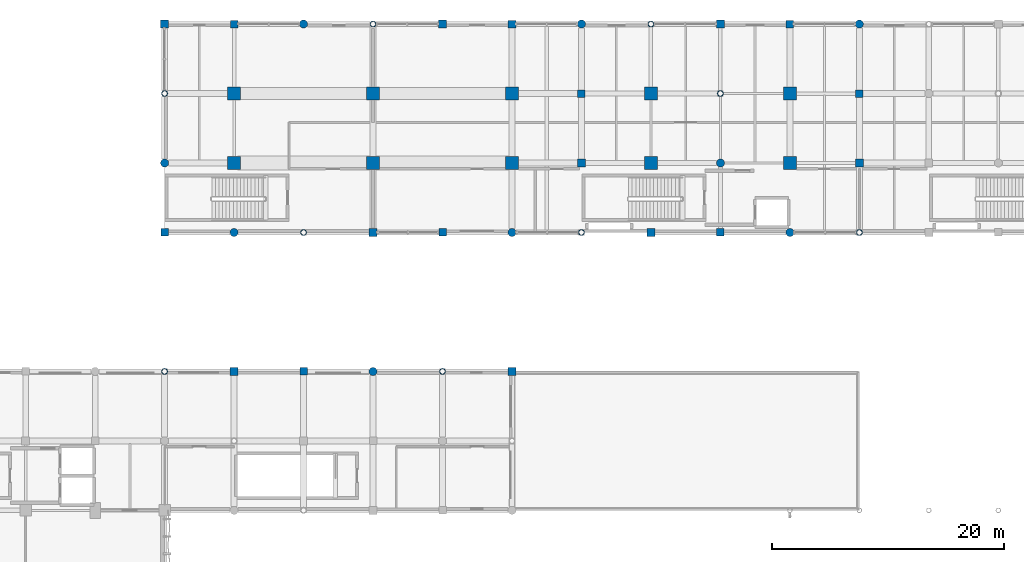
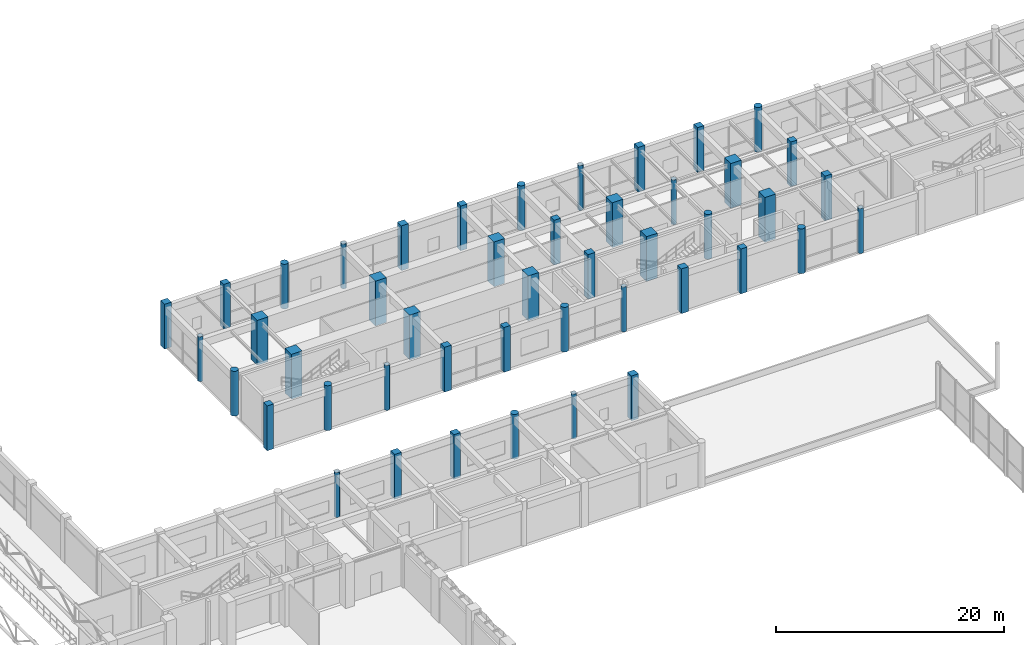
# One storey, part 10 of 123: 46 columns.
"""IFC4 building model written with IfcOpenShell, lengths in metres."""

from ifc_helpers import new_model, si_unit, direction, frame, origin, origin_2d, place, context, subcontext, project, spatial, rectangle, circle, hollow_circle, extrude, material, material_profile, profile_set, type_object, element, save


model = new_model("IFC4")

# Units and contexts
model_context = context("Model", 3, precision=1e-05, world=origin(), true_north=direction((0.0, 1.0)))
body_context = subcontext(model_context, "Body", "Model", "MODEL_VIEW")
ifc_project = project(units=[si_unit("LENGTHUNIT", "METRE"), si_unit("AREAUNIT", "SQUARE_METRE"), si_unit("VOLUMEUNIT", "CUBIC_METRE"), si_unit("PLANEANGLEUNIT", "RADIAN"), si_unit("MASSUNIT", "GRAM", prefix="KILO"), si_unit("THERMODYNAMICTEMPERATUREUNIT", "KELVIN"), si_unit("POWERUNIT", "WATT")], contexts=[model_context])

# Site, building, storey
site_placement = place(None, origin())
site = spatial("IfcSite", under=ifc_project, at=site_placement, CompositionType="ELEMENT")
building_placement = place(site_placement, origin())
building = spatial("IfcBuilding", under=site, at=building_placement, Name="Phaisarnlok Congress Hotel", CompositionType="ELEMENT")
storey_placement = place(building_placement, frame((0.0, 0.0, 15.0)))
storey = spatial("IfcBuildingStorey", under=building, at=storey_placement, Name="L03", CompositionType="ELEMENT", Elevation=15.0)

# Columns
ifc_material_1 = material(Name="Concrete C50/60", Category="concrete")
ifc_material_profile_1 = material_profile(ifc_material_1, rectangle(XDim=1.10009765625, YDim=1.10009765625, at=origin_2d()), Name="RC 1100x1100")
ifc_profile_set_1 = profile_set([ifc_material_profile_1], Name="Concrete C50/60")
column_type_1 = type_object("IfcColumnType", Name="COL-RC-1100", PredefinedType="COLUMN", material=ifc_profile_set_1)
for number, where, z_axis, x_axis, name in (
    (1, (72.0, 114.0, 0.0), (0.0, 0.0, 1.0), (1.0, 0.0, 0.0), "Column C-10 (L03)"),
    (2, (72.0, 120.0, 0.0), (0.0, 0.0, 1.0), (1.0, 0.0, 0.0), "Column C-10 (L03)"),
    (3, (84.0, 114.0, 0.0), (0.0, 0.0, 1.0), (1.0, 0.0, 0.0), "Column C-10 (L03)"),
    (4, (84.0, 120.0, 0.0), (0.0, 0.0, 1.0), (1.0, 0.0, 0.0), "Column C-10 (L03)"),
    (5, (96.0, 114.0, 0.0), (0.0, 0.0, 1.0), (1.0, 0.0, 0.0), "Column C-10 (L03)"),
    (6, (96.0, 120.0, 0.0), (0.0, 0.0, 1.0), (1.0, 0.0, 0.0), "Column C-10 (L03)"),
    (7, (108.0, 114.0, 0.0), (0.0, 0.0, 1.0), (1.0, 0.0, 0.0), "Column C-10 (L03)"),
    (8, (108.0, 120.0, 0.0), (0.0, 0.0, 1.0), (1.0, 0.0, 0.0), "Column C-10 (L03)"),
    (9, (120.0, 114.0, 0.0), (0.0, 0.0, 1.0), (1.0, 0.0, 0.0), "Column C-10 (L03)"),
    (10, (120.0, 120.0, 0.0), (0.0, 0.0, 1.0), (1.0, 0.0, 0.0), "Column C-10 (L03)"),
):
    element("IfcColumn", number, at=place(storey_placement, frame(where, z_axis=z_axis, x_axis=x_axis)), inside=storey, type_object=column_type_1, Name=name, PredefinedType="COLUMN", context=body_context, shape_type="SweptSolid", body=[
        extrude(rectangle(XDim=1.10009765625, YDim=1.10009765625, at=origin_2d()), origin(), (0.0, 0.0, 1.0), 4.800048828125),
    ])
ifc_material_profile_2 = material_profile(ifc_material_1, rectangle(XDim=0.64990234375, YDim=0.64990234375, at=origin_2d()), Name="RC 650x650")
ifc_profile_set_2 = profile_set([ifc_material_profile_2], Name="Concrete C50/60")
column_type_2 = type_object("IfcColumnType", Name="COL-RC-650", PredefinedType="COLUMN", material=ifc_profile_set_2)
for number, where, z_axis, x_axis, name in (
    (11, (66.0, 108.0, 0.0), (0.0, 0.0, 1.0), (1.0, 0.0, 0.0), "Column C-04 (L03)"),
    (12, (78.0, 96.0, 0.0), (0.0, 0.0, 1.0), (1.0, 0.0, 0.0), "Column C-04 (L03)"),
    (13, (90.0, 108.0, 0.0), (0.0, 0.0, 1.0), (1.0, 0.0, 0.0), "Column C-04 (L03)"),
    (14, (102.0, 120.0, 0.0), (0.0, 0.0, 1.0), (1.0, 0.0, 0.0), "Column C-04 (L03)"),
    (15, (114.0, 108.0, 0.0), (0.0, 0.0, 1.0), (1.0, 0.0, 0.0), "Column C-04 (L03)"),
    (16, (126.0, 120.0, 0.0), (0.0, 0.0, 1.0), (1.0, 0.0, 0.0), "Column C-04 (L03)"),
):
    element("IfcColumn", number, at=place(storey_placement, frame(where, z_axis=z_axis, x_axis=x_axis)), inside=storey, type_object=column_type_2, Name=name, PredefinedType="COLUMN", context=body_context, shape_type="SweptSolid", body=[
        extrude(rectangle(XDim=0.64990234375, YDim=0.64990234375, at=origin_2d()), origin(), (0.0, 0.0, 1.0), 4.800048828125),
    ])
ifc_material_profile_3 = material_profile(ifc_material_1, rectangle(XDim=0.64990234375, YDim=0.64990234375, at=origin_2d()), Name="RC 650x650")
ifc_profile_set_3 = profile_set([ifc_material_profile_3], Name="Concrete C50/60")
column_type_3 = type_object("IfcColumnType", Name="COL-RC-650-EXT", PredefinedType="COLUMN", material=ifc_profile_set_3)
for number, where, z_axis, x_axis, name in (
    (17, (72.0, 126.0, 0.0), (0.0, 0.0, 1.0), (1.0, 0.0, 0.0), "Column C-04E (L03)"),
    (18, (96.0, 126.0, 0.0), (0.0, 0.0, 1.0), (1.0, 0.0, 0.0), "Column C-04E (L03)"),
    (19, (120.0, 126.0, 0.0), (0.0, 0.0, 1.0), (1.0, 0.0, 0.0), "Column C-04E (L03)"),
):
    element("IfcColumn", number, at=place(storey_placement, frame(where, z_axis=z_axis, x_axis=x_axis)), inside=storey, type_object=column_type_3, Name=name, PredefinedType="COLUMN", context=body_context, shape_type="SweptSolid", body=[
        extrude(rectangle(XDim=0.64990234375, YDim=0.64990234375, at=origin_2d()), origin(), (0.0, 0.0, 1.0), 4.800048828125),
    ])
ifc_material_profile_4 = material_profile(ifc_material_1, rectangle(XDim=0.699951171875, YDim=0.699951171875, at=origin_2d()), Name="RC 700x700")
ifc_profile_set_4 = profile_set([ifc_material_profile_4], Name="Concrete C50/60")
column_type_4 = type_object("IfcColumnType", Name="COL-RC-700", PredefinedType="COLUMN", material=ifc_profile_set_4)
for number, where, z_axis, x_axis, name in (
    (20, (72.0, 96.0, 0.0), (0.0, 0.0, 1.0), (1.0, 0.0, 0.0), "Column C-05 (L03)"),
    (21, (84.0, 108.0, 0.0), (0.0, 0.0, 1.0), (1.0, 0.0, 0.0), "Column C-05 (L03)"),
    (22, (96.0, 96.0, 0.0), (0.0, 0.0, 1.0), (1.0, 0.0, 0.0), "Column C-05 (L03)"),
    (23, (102.0, 114.0, 0.0), (0.0, 0.0, 1.0), (1.0, 0.0, 0.0), "Column C-05 (L03)"),
    (24, (108.0, 108.0, 0.0), (0.0, 0.0, 1.0), (1.0, 0.0, 0.0), "Column C-05 (L03)"),
    (25, (126.0, 114.0, 0.0), (0.0, 0.0, 1.0), (1.0, 0.0, 0.0), "Column C-05 (L03)"),
):
    element("IfcColumn", number, at=place(storey_placement, frame(where, z_axis=z_axis, x_axis=x_axis)), inside=storey, type_object=column_type_4, Name=name, PredefinedType="COLUMN", context=body_context, shape_type="SweptSolid", body=[
        extrude(rectangle(XDim=0.699951171875, YDim=0.699951171875, at=origin_2d()), origin(), (0.0, 0.0, 1.0), 4.800048828125),
    ])
ifc_material_profile_5 = material_profile(ifc_material_1, rectangle(XDim=0.699951171875, YDim=0.699951171875, at=origin_2d()), Name="RC 700x700")
ifc_profile_set_5 = profile_set([ifc_material_profile_5], Name="Concrete C50/60")
column_type_5 = type_object("IfcColumnType", Name="COL-RC-700-EXT", PredefinedType="COLUMN", material=ifc_profile_set_5)
for number, where, z_axis, x_axis, name in (
    (26, (66.0, 126.0, 0.0), (0.0, 0.0, 1.0), (1.0, 0.0, 0.0), "Column C-05E (L03)"),
    (27, (90.0, 126.0, 0.0), (0.0, 0.0, 1.0), (1.0, 0.0, 0.0), "Column C-05E (L03)"),
    (28, (114.0, 126.0, 0.0), (0.0, 0.0, 1.0), (1.0, 0.0, 0.0), "Column C-05E (L03)"),
):
    element("IfcColumn", number, at=place(storey_placement, frame(where, z_axis=z_axis, x_axis=x_axis)), inside=storey, type_object=column_type_5, Name=name, PredefinedType="COLUMN", context=body_context, shape_type="SweptSolid", body=[
        extrude(rectangle(XDim=0.699951171875, YDim=0.699951171875, at=origin_2d()), origin(), (0.0, 0.0, 1.0), 4.800048828125),
    ])
ifc_material_profile_6 = material_profile(ifc_material_1, circle(Radius=0.35009765625, at=origin_2d()), Name="RCC D700")
ifc_profile_set_6 = profile_set([ifc_material_profile_6], Name="Concrete C50/60")
column_type_6 = type_object("IfcColumnType", Name="COL-RCC-700", PredefinedType="COLUMN", material=ifc_profile_set_6)
for number, where, z_axis, x_axis, name in (
    (29, (66.0, 114.0, 0.0), (0.0, 0.0, 1.0), (1.0, 0.0, 0.0), "Column C-13 (L03)"),
    (30, (72.0, 108.0, 0.0), (0.0, 0.0, 1.0), (1.0, 0.0, 0.0), "Column C-13 (L03)"),
    (31, (84.0, 96.0, 0.0), (0.0, 0.0, 1.0), (1.0, 0.0, 0.0), "Column C-13 (L03)"),
    (32, (96.0, 108.0, 0.0), (0.0, 0.0, 1.0), (1.0, 0.0, 0.0), "Column C-13 (L03)"),
    (33, (114.0, 114.0, 0.0), (0.0, 0.0, 1.0), (1.0, 0.0, 0.0), "Column C-13 (L03)"),
    (34, (120.0, 108.0, 0.0), (0.0, 0.0, 1.0), (1.0, 0.0, 0.0), "Column C-13 (L03)"),
):
    element("IfcColumn", number, at=place(storey_placement, frame(where, z_axis=z_axis, x_axis=x_axis)), inside=storey, type_object=column_type_6, Name=name, PredefinedType="COLUMN", context=body_context, shape_type="SweptSolid", body=[
        extrude(circle(Radius=0.35009765625, at=origin_2d()), origin(), (0.0, 0.0, 1.0), 4.800048828125),
    ])
ifc_material_profile_7 = material_profile(ifc_material_1, circle(Radius=0.35009765625, at=origin_2d()), Name="RCC D700")
ifc_profile_set_7 = profile_set([ifc_material_profile_7], Name="Concrete C50/60")
column_type_7 = type_object("IfcColumnType", Name="COL-RCC-700-EXT", PredefinedType="COLUMN", material=ifc_profile_set_7)
for number, where, z_axis, x_axis, name in (
    (35, (78.0, 126.0, 0.0), (0.0, 0.0, 1.0), (1.0, 0.0, 0.0), "Column C-13E (L03)"),
    (36, (102.0, 126.0, 0.0), (0.0, 0.0, 1.0), (1.0, 0.0, 0.0), "Column C-13E (L03)"),
    (37, (126.0, 126.0, 0.0), (0.0, 0.0, 1.0), (1.0, 0.0, 0.0), "Column C-13E (L03)"),
):
    element("IfcColumn", number, at=place(storey_placement, frame(where, z_axis=z_axis, x_axis=x_axis)), inside=storey, type_object=column_type_7, Name=name, PredefinedType="COLUMN", context=body_context, shape_type="SweptSolid", body=[
        extrude(circle(Radius=0.35009765625, at=origin_2d()), origin(), (0.0, 0.0, 1.0), 4.800048828125),
    ])
ifc_material_2 = material(Name="Steel S355", Category="steel")
ifc_material_profile_8 = material_profile(ifc_material_2, hollow_circle(Radius=0.25390625, WallThickness=0.02490234375, at=origin_2d()), Name="CHS 508x25")
ifc_profile_set_8 = profile_set([ifc_material_profile_8], Name="Steel S355")
column_type_8 = type_object("IfcColumnType", Name="COL-STL-CHS508", PredefinedType="COLUMN", material=ifc_profile_set_8)
for number, where, z_axis, x_axis, name in (
    (38, (66.0, 96.0, 0.0), (0.0, 0.0, 1.0), (1.0, 0.0, 0.0), "Column SC-03 (L03)"),
    (39, (66.0, 120.0, 0.0), (0.0, 0.0, 1.0), (1.0, 0.0, 0.0), "Column SC-03 (L03)"),
    (40, (78.0, 108.0, 0.0), (0.0, 0.0, 1.0), (1.0, 0.0, 0.0), "Column SC-03 (L03)"),
    (41, (90.0, 96.0, 0.0), (0.0, 0.0, 1.0), (1.0, 0.0, 0.0), "Column SC-03 (L03)"),
    (42, (102.0, 108.0, 0.0), (0.0, 0.0, 1.0), (1.0, 0.0, 0.0), "Column SC-03 (L03)"),
    (43, (114.0, 120.0, 0.0), (0.0, 0.0, 1.0), (1.0, 0.0, 0.0), "Column SC-03 (L03)"),
    (44, (126.0, 108.0, 0.0), (0.0, 0.0, 1.0), (1.0, 0.0, 0.0), "Column SC-03 (L03)"),
):
    element("IfcColumn", number, at=place(storey_placement, frame(where, z_axis=z_axis, x_axis=x_axis)), inside=storey, type_object=column_type_8, Name=name, PredefinedType="COLUMN", context=body_context, shape_type="SweptSolid", body=[
        extrude(hollow_circle(Radius=0.25390625, WallThickness=0.02490234375, at=origin_2d()), origin(), (0.0, 0.0, 1.0), 4.800048828125),
    ])
ifc_material_profile_9 = material_profile(ifc_material_2, hollow_circle(Radius=0.25390625, WallThickness=0.02490234375, at=origin_2d()), Name="CHS 508x25")
ifc_profile_set_9 = profile_set([ifc_material_profile_9], Name="Steel S355")
column_type_9 = type_object("IfcColumnType", Name="COL-STL-CHS508-EXT", PredefinedType="COLUMN", material=ifc_profile_set_9)
for number, where, z_axis, x_axis, name in (
    (45, (84.0, 126.0, 0.0), (0.0, 0.0, 1.0), (1.0, 0.0, 0.0), "Column SC-03E (L03)"),
    (46, (108.0, 126.0, 0.0), (0.0, 0.0, 1.0), (1.0, 0.0, 0.0), "Column SC-03E (L03)"),
):
    element("IfcColumn", number, at=place(storey_placement, frame(where, z_axis=z_axis, x_axis=x_axis)), inside=storey, type_object=column_type_9, Name=name, PredefinedType="COLUMN", context=body_context, shape_type="SweptSolid", body=[
        extrude(hollow_circle(Radius=0.25390625, WallThickness=0.02490234375, at=origin_2d()), origin(), (0.0, 0.0, 1.0), 4.800048828125),
    ])

save(model, "model.ifc")
